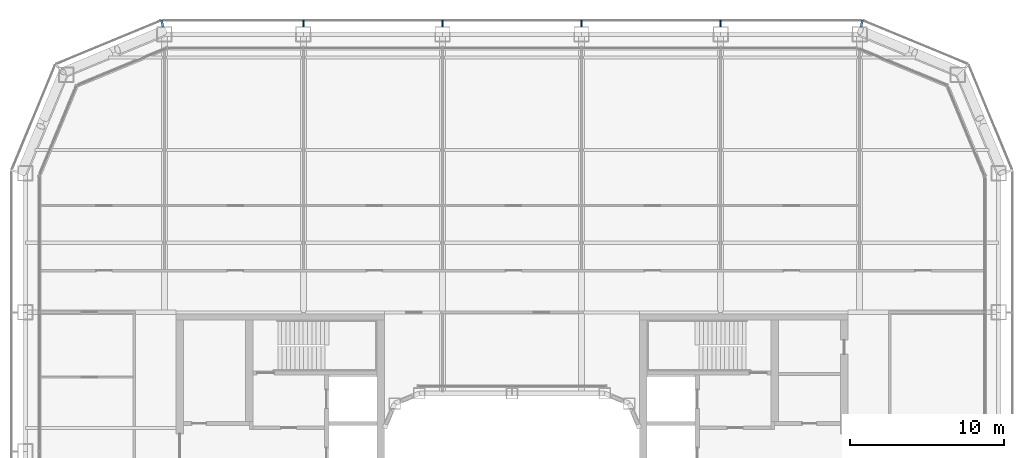
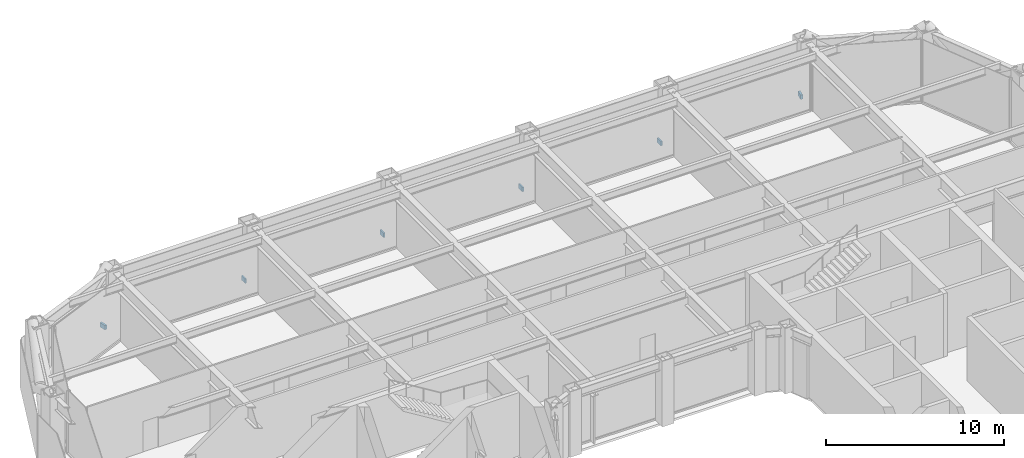
# One storey, part 22 of 27: 6 discrete accessories.
"""IFC4 building model written with IfcOpenShell, lengths in metres."""

from ifc_helpers import new_model, si_unit, direction, frame, origin, origin_2d, place, context, subcontext, project, spatial, rectangle, extrude, material, type_object, element, save


model = new_model("IFC4")

# Units and contexts
model_context = context("Model", 3, precision=1e-05, world=origin(), true_north=direction((0.0, 1.0)))
body_context = subcontext(model_context, "Body", "Model", "MODEL_VIEW")
ifc_project = project(units=[si_unit("LENGTHUNIT", "METRE"), si_unit("AREAUNIT", "SQUARE_METRE"), si_unit("VOLUMEUNIT", "CUBIC_METRE"), si_unit("PLANEANGLEUNIT", "RADIAN"), si_unit("MASSUNIT", "GRAM", prefix="KILO")], contexts=[model_context])

# Site, building, storey
site_placement = place(None, origin())
site = spatial("IfcSite", under=ifc_project, at=site_placement, CompositionType="ELEMENT")
building_placement = place(site_placement, origin())
building = spatial("IfcBuilding", under=site, at=building_placement, Name="Siwar Civic Tower", CompositionType="ELEMENT")
storey_placement = place(building_placement, frame((0.0, 0.0, 71.699951171875)))
storey = spatial("IfcBuildingStorey", under=building, at=storey_placement, Name="L15", CompositionType="ELEMENT", Elevation=71.699951171875)

# Discrete accessories
ifc_material = material(Name="Stainless steel 316", Category="steel")
discrete_accessory_type = type_object("IfcDiscreteAccessoryType", Name="ENV-BRACKET", PredefinedType="BRACKET", material=ifc_material)
for number, where, z_axis, x_axis, name in (
    (1, (13.5, 32.18994140625, -0.14990234375), (0.0, 0.0, 1.0), (0.0, 1.0, 0.0), "Bracket outer skin joint N-01"),
    (2, (4.5, 32.18994140625, -0.14990234375), (0.0, 0.0, 1.0), (0.0, 1.0, 0.0), "Bracket outer skin joint N-02"),
    (3, (-4.5, 32.18994140625, -0.14990234375), (0.0, 0.0, 1.0), (0.0, 1.0, 0.0), "Bracket outer skin joint N-03"),
    (4, (-13.5, 32.18994140625, -0.14990234375), (0.0, 0.0, 1.0), (0.0, 1.0, 0.0), "Bracket outer skin joint N-04"),
):
    element("IfcDiscreteAccessory", number, at=place(storey_placement, frame(where, z_axis=z_axis, x_axis=x_axis)), inside=storey, type_object=discrete_accessory_type, Name=name, PredefinedType="BRACKET", context=body_context, shape_type="SweptSolid", body=[
        extrude(rectangle(XDim=0.419921875, YDim=0.10009765625, at=origin_2d()), origin(), (0.0, 0.0, 1.0), 0.300048828125),
    ])
for number, where, z_axis, x_axis, name in (
    (5, (22.63720703125, 32.190185546875, -0.14990234375), (0.0, 0.0, 1.0), (0.195090322016, 0.980785280403, 0.0), "Bracket outer skin joint V06"),
    (6, (-22.63720703125, 32.190185546875, -0.14990234375), (0.0, 0.0, 1.0), (-0.195090322016, 0.980785280403, 0.0), "Bracket outer skin joint V07"),
):
    element("IfcDiscreteAccessory", number, at=place(storey_placement, frame(where, z_axis=z_axis, x_axis=x_axis)), inside=storey, type_object=discrete_accessory_type, Name=name, PredefinedType="BRACKET", context=body_context, shape_type="SweptSolid", body=[
        extrude(rectangle(XDim=0.427734375, YDim=0.13720703125, at=origin_2d()), origin(), (0.0, 0.0, 1.0), 0.300048828125),
    ])

save(model, "model.ifc")
